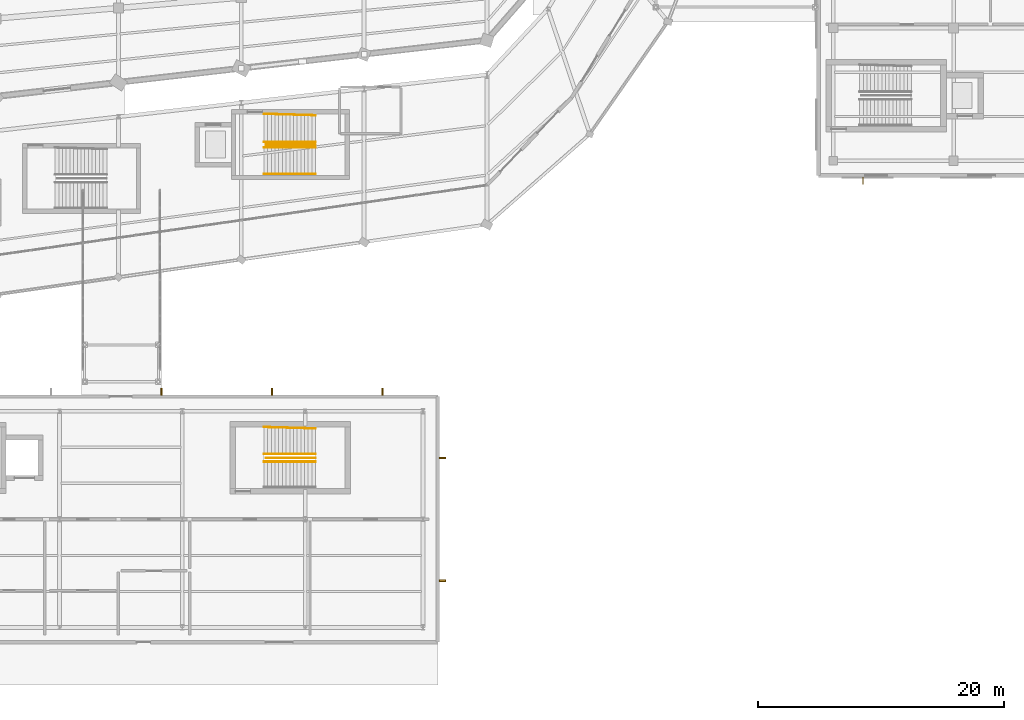
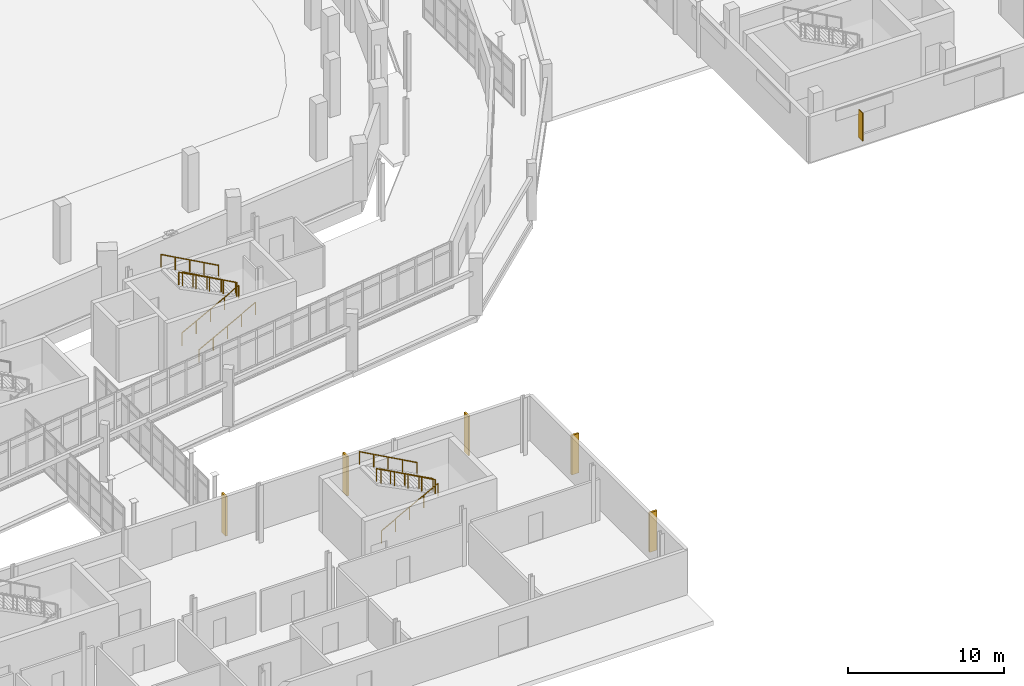
# One storey, part 119 of 122: 9 railings, 6 shading devices.
"""IFC4 building model written with IfcOpenShell, lengths in metres."""

import ifcopenshell
import ifcopenshell.guid

model = None  # the IFC model being written
_history = None  # IfcOwnerHistory: only IFC2X3 demands one
_inside = {}  # id of a spatial element -> (the spatial element, [elements in it])
_under = {}  # id of a project, library or spatial element -> (it, [spatial elements below it])
_declared = {}  # id of a project -> (the project, [libraries it declares])
_typed = {}  # id of a type object -> (the type object, [elements of that type])
_made_of = {}  # id of a material, layer set ... -> (it, [elements and type objects made of it])


def new_model(schema):
    """Start an empty IFC model of exactly this schema.

    Asked for "IFC4X3", IfcOpenShell would pick the latest addendum, in which some entities
    have other attributes; the version numbers below select the first issue.
    IFC2X3 requires an IfcOwnerHistory on every rooted entity: one is made here for all.
    """
    global model, _history
    if schema == "IFC4X3":
        model = ifcopenshell.file(schema_version=(4, 3, 0, 0))
    else:
        model = ifcopenshell.file(schema=schema)
    _inside.clear()
    _under.clear()
    _declared.clear()
    _typed.clear()
    _made_of.clear()
    _history = None
    if model.schema == "IFC2X3":
        org = make("IfcOrganization", Name="unknown")
        user = make(
            "IfcPersonAndOrganization",
            ThePerson=make("IfcPerson", FamilyName="unknown"),
            TheOrganization=org,
        )
        app = make(
            "IfcApplication",
            ApplicationDeveloper=org,
            Version="unknown",
            ApplicationFullName="unknown",
            ApplicationIdentifier="unknown",
        )
        _history = make(
            "IfcOwnerHistory",
            OwningUser=user,
            OwningApplication=app,
            ChangeAction="ADDED",
            CreationDate=0,
        )
    return model


def make(cls, **values):
    """One entity of the class cls with the attributes given. An attribute that is None is left unset."""
    return model.create_entity(
        cls, **{name: value for name, value in values.items() if value is not None}
    )


def rooted(cls, **values):
    """An entity with a GlobalId (a new one), such as an element, a storey or a relation."""
    return make(cls, GlobalId=ifcopenshell.guid.new(), OwnerHistory=_history, **values)


def si_unit(unit_type, name, prefix=None):
    """IfcSIUnit, for example si_unit("LENGTHUNIT", "METRE", prefix="MILLI")."""
    return make("IfcSIUnit", UnitType=unit_type, Prefix=prefix, Name=name)


def assignment(units):
    """IfcUnitAssignment: the units of a project."""
    return None if units is None else make("IfcUnitAssignment", Units=units)


def point(xyz):
    """IfcCartesianPoint."""
    return None if xyz is None else make("IfcCartesianPoint", Coordinates=xyz)


def direction(xyz):
    """IfcDirection."""
    return None if xyz is None else make("IfcDirection", DirectionRatios=xyz)


def frame(location, z_axis=None, x_axis=None):
    """IfcAxis2Placement3D, a coordinate frame: its origin and axes. An axis left out is left unset."""
    return make(
        "IfcAxis2Placement3D",
        Location=point(location),
        Axis=direction(z_axis),
        RefDirection=direction(x_axis),
    )


def frame_2d(location, x_axis=None):
    """IfcAxis2Placement2D, a coordinate frame in the plane: its origin and x axis."""
    return make(
        "IfcAxis2Placement2D", Location=point(location), RefDirection=direction(x_axis)
    )


def origin():
    """The frame at (0, 0, 0) with its axes left unset."""
    return frame((0.0, 0.0, 0.0))


def origin_2d():
    """The frame at (0, 0) in the plane with its x axis left unset."""
    return frame_2d((0.0, 0.0))


def place(relative_to, where):
    """IfcLocalPlacement: puts the frame where relative to a parent placement (None: the world)."""
    return make(
        "IfcLocalPlacement", PlacementRelTo=relative_to, RelativePlacement=where
    )


def context(
    kind, dimensions, precision=None, world=None, true_north=None, identifier=None
):
    """IfcGeometricRepresentationContext, for example the 3D "Model" context."""
    return make(
        "IfcGeometricRepresentationContext",
        ContextIdentifier=identifier,
        ContextType=kind,
        CoordinateSpaceDimension=dimensions,
        Precision=precision,
        WorldCoordinateSystem=world,
        TrueNorth=true_north,
    )


def subcontext(parent, identifier, kind, view, scale=None):
    """IfcGeometricRepresentationSubContext, for example "Body" below "Model"."""
    return make(
        "IfcGeometricRepresentationSubContext",
        ContextIdentifier=identifier,
        ContextType=kind,
        ParentContext=parent,
        TargetScale=scale,
        TargetView=view,
    )


def project(units=None, contexts=None):
    """IfcProject with its units and contexts."""
    return rooted(
        "IfcProject",
        Name="project",
        RepresentationContexts=contexts,
        UnitsInContext=assignment(units),
    )


def spatial(cls, under=None, at=None, **own):
    """A site, building, storey or space (cls), placed at a placement, below another one or the project."""
    s = rooted(cls, ObjectPlacement=at, **own)
    if under is not None:
        _under.setdefault(under.id(), (under, []))[1].append(s)
    return s


def profile(cls, at=None, kind="AREA", **sizes):
    """A parametric profile (cls). Its sizes go by their IFC names, for example OverallWidth=200.0."""
    return make(cls, ProfileType=kind, Position=at, **sizes)


def rectangle(**sizes):
    """IfcRectangleProfileDef."""
    return profile("IfcRectangleProfileDef", **sizes)


def circle(**sizes):
    """IfcCircleProfileDef."""
    return profile("IfcCircleProfileDef", **sizes)


def extrude(swept, where, along, depth):
    """IfcExtrudedAreaSolid: the profile swept, set in the frame where, extruded along a direction by depth."""
    return make(
        "IfcExtrudedAreaSolid",
        SweptArea=swept,
        Position=where,
        ExtrudedDirection=direction(along),
        Depth=depth,
    )


def shape(context_of_items, identifier, shape_type, items):
    """IfcShapeRepresentation: the items that make up one representation, for example the "Body"."""
    return make(
        "IfcShapeRepresentation",
        ContextOfItems=context_of_items,
        RepresentationIdentifier=identifier,
        RepresentationType=shape_type,
        Items=items,
    )


def material(Name=None, Category=None):
    """IfcMaterial."""
    return make("IfcMaterial", Name=Name, Category=Category)


def layer(
    of_material, thickness, ventilated=None, Name=None, Category=None, Priority=None
):
    """IfcMaterialLayer: one layer of a wall or slab, of a material (None: an air gap)."""
    return make(
        "IfcMaterialLayer",
        Material=of_material,
        LayerThickness=thickness,
        IsVentilated=ventilated,
        Name=Name,
        Category=Category,
        Priority=Priority,
    )


def layer_set(layers, Name=None):
    """IfcMaterialLayerSet."""
    return make("IfcMaterialLayerSet", MaterialLayers=layers, LayerSetName=Name)


def made_of(thing, what):
    """Note that an element or type object is made of a material, layer set ...; save() writes the relation."""
    if what is not None:
        _made_of.setdefault(what.id(), (what, []))[1].append(thing)
    return thing


def type_object(cls, material=None, **own):
    """A type object (cls), such as IfcWallType, which elements share."""
    return made_of(rooted(cls, **own), material)


def element(
    cls,
    number,
    at=None,
    inside=None,
    cuts=None,
    type_object=None,
    material=None,
    context=None,
    identifier="Body",
    shape_type=None,
    held_by="IfcProductDefinitionShape",
    body=None,
    shapes=None,
    **own,
):
    """One element of the class cls, such as IfcWall. Its Tag is "e" and its number.

    at: its placement. inside: the storey or other place that contains it. cuts: it is an
    opening in that element (IfcRelVoidsElement). A single representation is given by context,
    identifier, shape_type and body (its items); several are given by shapes. held_by: the class
    of the entity that holds the representations. save() writes the other relations.
    """
    e = rooted(cls, Tag="e%d" % number, ObjectPlacement=at, **own)
    if body is not None:
        shapes = [shape(context, identifier, shape_type, body)]
    if shapes is not None:
        e.Representation = make(held_by, Representations=shapes)
    if inside is not None:
        _inside.setdefault(inside.id(), (inside, []))[1].append(e)
    if cuts is not None:
        rooted(
            "IfcRelVoidsElement", RelatingBuildingElement=cuts, RelatedOpeningElement=e
        )
    if type_object is not None:
        _typed.setdefault(type_object.id(), (type_object, []))[1].append(e)
    return made_of(e, material)


def aggregate(whole, parts):
    """IfcRelAggregates: a whole, such as a stair, and the parts it consists of."""
    return rooted("IfcRelAggregates", RelatingObject=whole, RelatedObjects=parts)


def save(model, path):
    """Write the relations noted so far, then the file.

    IfcRelAggregates (storeys below a building ...), IfcRelContainedInSpatialStructure (elements
    in a storey), IfcRelDefinesByType, IfcRelAssociatesMaterial and IfcRelDeclares: one each for
    every whole, place, type object, material and project.
    """
    for whole, parts in _under.values():
        aggregate(whole, parts)
    for where, things in _inside.values():
        rooted(
            "IfcRelContainedInSpatialStructure",
            RelatedElements=things,
            RelatingStructure=where,
        )
    for kind, things in _typed.values():
        rooted("IfcRelDefinesByType", RelatedObjects=things, RelatingType=kind)
    for what, things in _made_of.values():
        rooted("IfcRelAssociatesMaterial", RelatedObjects=things, RelatingMaterial=what)
    for by, libraries in _declared.values():
        rooted("IfcRelDeclares", RelatingContext=by, RelatedDefinitions=libraries)
    model.write(path)


model = new_model("IFC4")

# Units and contexts
model_context = context("Model", 3, precision=1e-05, world=origin(), true_north=direction((0.0, 1.0)))
body_context = subcontext(model_context, "Body", "Model", "MODEL_VIEW")
ifc_project = project(units=[si_unit("LENGTHUNIT", "METRE"), si_unit("AREAUNIT", "SQUARE_METRE"), si_unit("VOLUMEUNIT", "CUBIC_METRE"), si_unit("PLANEANGLEUNIT", "RADIAN"), si_unit("MASSUNIT", "GRAM", prefix="KILO")], contexts=[model_context])

# Site, building, storey
site_placement = place(None, origin())
site = spatial("IfcSite", under=ifc_project, at=site_placement, CompositionType="ELEMENT")
building_placement = place(site_placement, origin())
building = spatial("IfcBuilding", under=site, at=building_placement, Name="Sohan Crest Arena", CompositionType="ELEMENT")
storey_placement = place(building_placement, origin())
storey = spatial("IfcBuildingStorey", under=building, at=storey_placement, Name="L00", CompositionType="ELEMENT", Elevation=0.0)

# Railings
ifc_material_1 = material(Name="Powder-coated wrought steel balustrade", Category="steel")
railing_type_1 = type_object("IfcRailingType", Name="ARC-GRD-01", PredefinedType="GUARDRAIL", material=ifc_material_1)
for number, where, name in (
    (1, (154.030029296875, 46.5, 2.25), "Stair well slot guard GRD-051"),
    (2, (154.030029296875, 21.0, 2.25), "Stair well slot guard GRD-062"),
):
    element("IfcRailing", number, at=place(storey_placement, frame(where)), inside=storey, type_object=railing_type_1, Name=name, PredefinedType="GUARDRAIL", context=body_context, shape_type="SweptSolid", body=[
        extrude(circle(Radius=0.02392578125, at=origin_2d()), frame((0.0, 0.0, 1.076171875), z_axis=(-0.87313487534, 0.0, 0.487478706678), x_axis=(0.0, -1.0, 0.0)), (0.0, 0.0, 1.0), 4.615478515625),
        extrude(circle(Radius=0.02099609375, at=origin_2d()), origin(), (0.0, 0.0, 1.0), 1.052001953125),
        extrude(circle(Radius=0.02099609375, at=origin_2d()), frame((-1.007568359375, 0.0, 0.5625)), (0.0, 0.0, 1.0), 1.052001953125),
        extrude(circle(Radius=0.02099609375, at=origin_2d()), frame((-2.01513671875, 0.0, 1.125)), (0.0, 0.0, 1.0), 1.052001953125),
        extrude(circle(Radius=0.02099609375, at=origin_2d()), frame((-3.0224609375, 0.0, 1.6875)), (0.0, 0.0, 1.0), 1.052001953125),
        extrude(circle(Radius=0.02099609375, at=origin_2d()), frame((-4.030029296875, 0.0, 2.25)), (0.0, 0.0, 1.0), 1.052001953125),
    ])
ifc_material_2 = material(Name="Brushed stainless steel stair handrail", Category="steel")
railing_type_2 = type_object("IfcRailingType", Name="ARC-HR-01", PredefinedType="HANDRAIL", material=ifc_material_2)
for number, where, name in (
    (3, (149.85009765625, 44.110107421875, 0.0), "Stair pitch handrail HR-169"),
    (4, (149.85009765625, 46.2900390625, 0.0), "Stair pitch handrail HR-170"),
):
    element("IfcRailing", number, at=place(storey_placement, frame(where)), inside=storey, type_object=railing_type_2, Name=name, PredefinedType="HANDRAIL", context=body_context, shape_type="SweptSolid", body=[
        extrude(circle(Radius=0.02392578125, at=origin_2d()), frame((0.0, 0.0, 0.97607421875), z_axis=(0.881477684796, 0.0, 0.472225678258), x_axis=(0.0, 1.0, 0.0)), (0.0, 0.0, 1.0), 4.7646484375),
        extrude(circle(Radius=0.02099609375, at=origin_2d()), origin(), (0.0, 0.0, 1.0), 0.951904296875),
        extrude(circle(Radius=0.02099609375, at=origin_2d()), frame((1.050048828125, 0.0, 0.5625)), (0.0, 0.0, 1.0), 0.951904296875),
        extrude(circle(Radius=0.02099609375, at=origin_2d()), frame((2.10009765625, 0.0, 1.125)), (0.0, 0.0, 1.0), 0.951904296875),
        extrude(circle(Radius=0.02099609375, at=origin_2d()), frame((3.14990234375, 0.0, 1.6875)), (0.0, 0.0, 1.0), 0.951904296875),
        extrude(circle(Radius=0.02099609375, at=origin_2d()), frame((4.199951171875, 0.0, 2.25)), (0.0, 0.0, 1.0), 0.951904296875),
    ])
railing_1_placement = place(storey_placement, frame((154.050048828125, 46.7099609375, 2.25)))
element("IfcRailing", 5, at=railing_1_placement, inside=storey, type_object=railing_type_2, Name="Stair pitch handrail HR-171", PredefinedType="HANDRAIL", context=body_context, shape_type="SweptSolid", body=[
    extrude(circle(Radius=0.02392578125, at=origin_2d()), frame((0.0, 0.0, 0.97607421875), z_axis=(-0.881477684796, 0.0, 0.472225678258), x_axis=(0.0, -1.0, 0.0)), (0.0, 0.0, 1.0), 4.7646484375),
    extrude(circle(Radius=0.02099609375, at=origin_2d()), origin(), (0.0, 0.0, 1.0), 0.951904296875),
    extrude(circle(Radius=0.02099609375, at=origin_2d()), frame((-1.050048828125, 0.0, 0.5625)), (0.0, 0.0, 1.0), 0.951904296875),
    extrude(circle(Radius=0.02099609375, at=origin_2d()), frame((-2.10009765625, 0.0, 1.125)), (0.0, 0.0, 1.0), 0.951904296875),
    extrude(circle(Radius=0.02099609375, at=origin_2d()), frame((-3.14990234375, 0.0, 1.6875)), (0.0, 0.0, 1.0), 0.951904296875),
    extrude(circle(Radius=0.02099609375, at=origin_2d()), frame((-4.199951171875, 0.0, 2.25)), (0.0, 0.0, 1.0), 0.951904296875),
])
railing_2_placement = place(storey_placement, frame((154.050048828125, 48.889892578125, 2.25)))
element("IfcRailing", 6, at=railing_2_placement, inside=storey, type_object=railing_type_2, Name="Stair pitch handrail HR-172", PredefinedType="HANDRAIL", context=body_context, shape_type="SweptSolid", body=[
    extrude(circle(Radius=0.02392578125, at=origin_2d()), frame((0.0, 0.0, 0.97607421875), z_axis=(-0.881197710057, 0.025201957411, 0.472075690047), x_axis=(-0.028587973606, -0.999591280357, 0.0)), (0.0, 0.0, 1.0), 4.76611328125),
    extrude(circle(Radius=0.02099609375, at=origin_2d()), origin(), (0.0, 0.0, 1.0), 0.951904296875),
    extrude(circle(Radius=0.02099609375, at=origin_2d()), frame((-1.050048828125, 0.030029296875, 0.5625)), (0.0, 0.0, 1.0), 0.951904296875),
    extrude(circle(Radius=0.02099609375, at=origin_2d()), frame((-2.10009765625, 0.06005859375, 1.125)), (0.0, 0.0, 1.0), 0.951904296875),
    extrude(circle(Radius=0.02099609375, at=origin_2d()), frame((-3.14990234375, 0.090087890625, 1.6875)), (0.0, 0.0, 1.0), 0.951904296875),
    extrude(circle(Radius=0.02099609375, at=origin_2d()), frame((-4.199951171875, 0.1201171875, 2.25)), (0.0, 0.0, 1.0), 0.951904296875),
])
railing_3_placement = place(storey_placement, frame((149.85009765625, 20.68994140625, 0.0)))
element("IfcRailing", 7, at=railing_3_placement, inside=storey, type_object=railing_type_2, Name="Stair pitch handrail HR-206", PredefinedType="HANDRAIL", context=body_context, shape_type="SweptSolid", body=[
    extrude(circle(Radius=0.02392578125, at=origin_2d()), frame((0.0, 0.0, 0.97607421875), z_axis=(0.881477684796, 0.0, 0.472225678258), x_axis=(0.0, 1.0, 0.0)), (0.0, 0.0, 1.0), 4.7646484375),
    extrude(circle(Radius=0.02099609375, at=origin_2d()), origin(), (0.0, 0.0, 1.0), 0.951904296875),
    extrude(circle(Radius=0.02099609375, at=origin_2d()), frame((1.050048828125, 0.0, 0.5625)), (0.0, 0.0, 1.0), 0.951904296875),
    extrude(circle(Radius=0.02099609375, at=origin_2d()), frame((2.10009765625, 0.0, 1.125)), (0.0, 0.0, 1.0), 0.951904296875),
    extrude(circle(Radius=0.02099609375, at=origin_2d()), frame((3.14990234375, 0.0, 1.6875)), (0.0, 0.0, 1.0), 0.951904296875),
    extrude(circle(Radius=0.02099609375, at=origin_2d()), frame((4.199951171875, 0.0, 2.25)), (0.0, 0.0, 1.0), 0.951904296875),
])
railing_4_placement = place(storey_placement, frame((154.050048828125, 21.31005859375, 2.25)))
element("IfcRailing", 8, at=railing_4_placement, inside=storey, type_object=railing_type_2, Name="Stair pitch handrail HR-207", PredefinedType="HANDRAIL", context=body_context, shape_type="SweptSolid", body=[
    extrude(circle(Radius=0.02392578125, at=origin_2d()), frame((0.0, 0.0, 0.97607421875), z_axis=(-0.881477684796, 0.0, 0.472225678258), x_axis=(0.0, -1.0, 0.0)), (0.0, 0.0, 1.0), 4.7646484375),
    extrude(circle(Radius=0.02099609375, at=origin_2d()), origin(), (0.0, 0.0, 1.0), 0.951904296875),
    extrude(circle(Radius=0.02099609375, at=origin_2d()), frame((-1.050048828125, 0.0, 0.5625)), (0.0, 0.0, 1.0), 0.951904296875),
    extrude(circle(Radius=0.02099609375, at=origin_2d()), frame((-2.10009765625, 0.0, 1.125)), (0.0, 0.0, 1.0), 0.951904296875),
    extrude(circle(Radius=0.02099609375, at=origin_2d()), frame((-3.14990234375, 0.0, 1.6875)), (0.0, 0.0, 1.0), 0.951904296875),
    extrude(circle(Radius=0.02099609375, at=origin_2d()), frame((-4.199951171875, 0.0, 2.25)), (0.0, 0.0, 1.0), 0.951904296875),
])
railing_5_placement = place(storey_placement, frame((154.050048828125, 23.389892578125, 2.25)))
element("IfcRailing", 9, at=railing_5_placement, inside=storey, type_object=railing_type_2, Name="Stair pitch handrail HR-208", PredefinedType="HANDRAIL", context=body_context, shape_type="SweptSolid", body=[
    extrude(circle(Radius=0.02392578125, at=origin_2d()), frame((0.0, 0.0, 0.97607421875), z_axis=(-0.881197710057, 0.025201957411, 0.472075690047), x_axis=(-0.028587973606, -0.999591280357, 0.0)), (0.0, 0.0, 1.0), 4.76611328125),
    extrude(circle(Radius=0.02099609375, at=origin_2d()), origin(), (0.0, 0.0, 1.0), 0.951904296875),
    extrude(circle(Radius=0.02099609375, at=origin_2d()), frame((-1.050048828125, 0.030029296875, 0.5625)), (0.0, 0.0, 1.0), 0.951904296875),
    extrude(circle(Radius=0.02099609375, at=origin_2d()), frame((-2.10009765625, 0.06005859375, 1.125)), (0.0, 0.0, 1.0), 0.951904296875),
    extrude(circle(Radius=0.02099609375, at=origin_2d()), frame((-3.14990234375, 0.090087890625, 1.6875)), (0.0, 0.0, 1.0), 0.951904296875),
    extrude(circle(Radius=0.02099609375, at=origin_2d()), frame((-4.199951171875, 0.1201171875, 2.25)), (0.0, 0.0, 1.0), 0.951904296875),
])

# Shading devices
ifc_material_3 = material(Name="Glazed terracotta ceramic solar fin", Category="masonry")
ifc_layer = layer(ifc_material_3, 0.070068359375, Name="Glazed terracotta ceramic solar fin")
ifc_layer_set = layer_set([ifc_layer], Name="Glazed terracotta ceramic solar fin")
shading_device_type = type_object("IfcShadingDeviceType", Name="ARC-SHD-FIN1", PredefinedType="USERDEFINED", material=ifc_layer_set)
shading_device_placement = place(storey_placement, frame((198.6201171875, 43.56494140625, 0.75), z_axis=(0.0, 0.0, 1.0), x_axis=(1.0, 0.0, 0.0)))
element("IfcShadingDevice", 10, at=shading_device_placement, inside=storey, type_object=shading_device_type, Name="Solar shading fin FIN-001", ObjectType="FIN", PredefinedType="USERDEFINED", context=body_context, shape_type="SweptSolid", body=[
    extrude(rectangle(XDim=0.070068359375, YDim=0.550048828125, at=origin_2d()), origin(), (0.0, 0.0, 1.0), 2.199951171875),
])
for number, where, z_axis, x_axis, name in (
    (11, (164.389892578125, 11.0, 0.199951171875), (0.0, 0.0, 1.0), (0.0, 1.0, 0.0), "Catalan terracotta facade fin FIN-037"),
    (12, (164.389892578125, 21.0, 0.199951171875), (0.0, 0.0, 1.0), (0.0, 1.0, 0.0), "Catalan terracotta facade fin FIN-038"),
    (13, (159.5, 26.389892578125, 0.199951171875), (0.0, 0.0, 1.0), (-1.0, 0.0, 0.0), "Catalan terracotta facade fin FIN-039"),
    (14, (150.5, 26.389892578125, 0.199951171875), (0.0, 0.0, 1.0), (-1.0, 0.0, 0.0), "Catalan terracotta facade fin FIN-040"),
    (15, (141.5, 26.389892578125, 0.199951171875), (0.0, 0.0, 1.0), (-1.0, 0.0, 0.0), "Catalan terracotta facade fin FIN-041"),
):
    element("IfcShadingDevice", number, at=place(storey_placement, frame(where, z_axis=z_axis, x_axis=x_axis)), inside=storey, type_object=shading_device_type, Name=name, ObjectType="FIN", PredefinedType="USERDEFINED", context=body_context, shape_type="SweptSolid", body=[
        extrude(rectangle(XDim=0.139892578125, YDim=0.550048828125, at=origin_2d()), origin(), (0.0, 0.0, 1.0), 3.10009765625),
    ])

save(model, "model.ifc")
